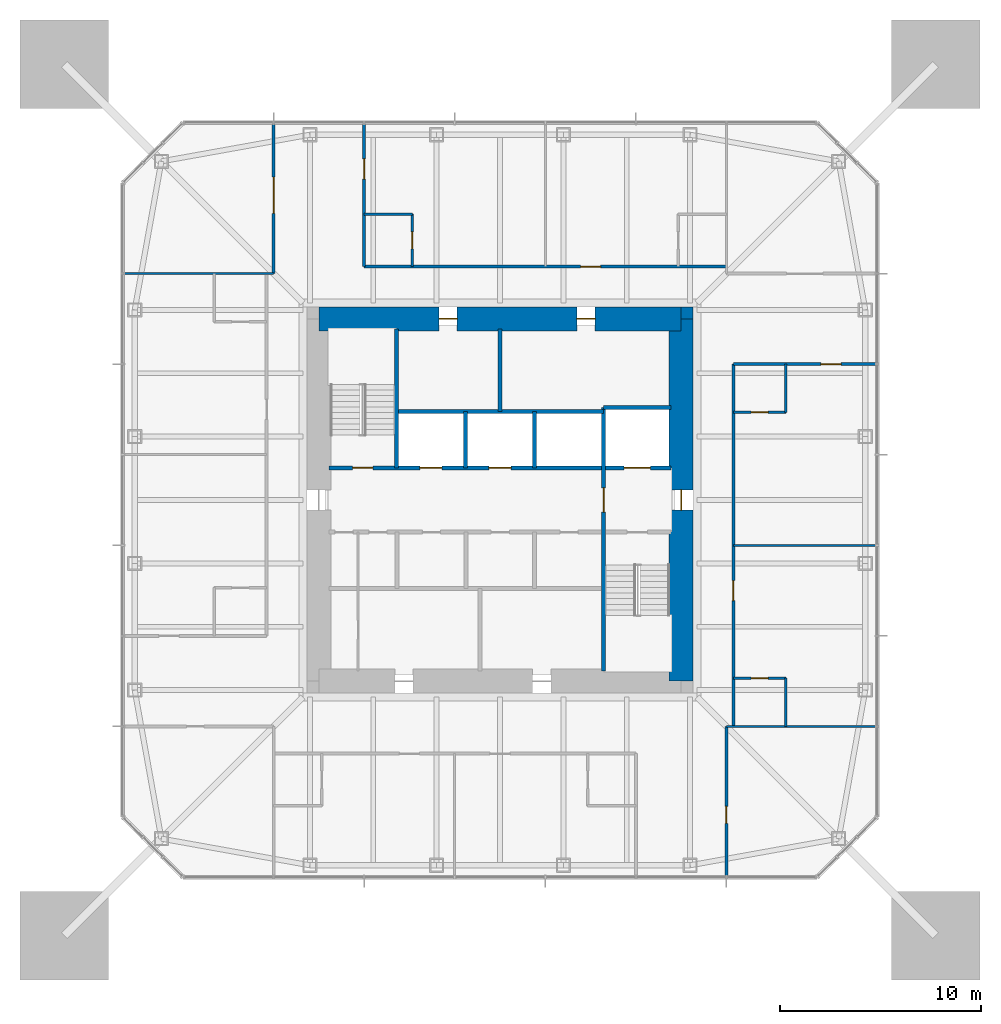
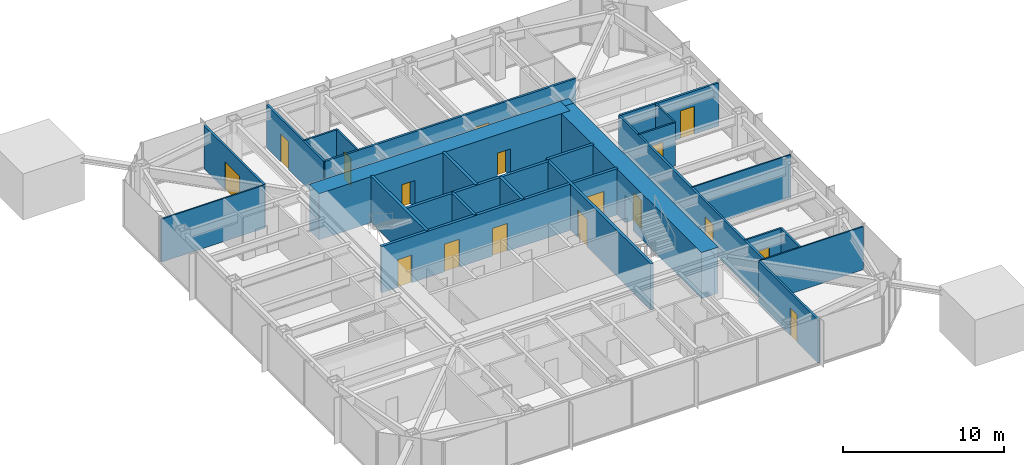
# One storey, part 7 of 11: 26 walls, 17 doors, 17 openings.
"""IFC4 building model written with IfcOpenShell, lengths in metres."""

from ifc_helpers import new_model, si_unit, direction, frame, frame_2d, origin, place, context, subcontext, project, spatial, rectangle, extrude, material, layer, layer_set, type_object, element, fill, save


model = new_model("IFC4")

# Units and contexts
model_context = context("Model", 3, precision=1e-05, world=origin(), true_north=direction((0.0, 1.0)))
body_context = subcontext(model_context, "Body", "Model", "MODEL_VIEW")
ifc_project = project(units=[si_unit("LENGTHUNIT", "METRE"), si_unit("AREAUNIT", "SQUARE_METRE"), si_unit("VOLUMEUNIT", "CUBIC_METRE"), si_unit("PLANEANGLEUNIT", "RADIAN"), si_unit("MASSUNIT", "GRAM", prefix="KILO")], contexts=[model_context])

# Site, building, storey
site_placement = place(None, origin())
site = spatial("IfcSite", under=ifc_project, at=site_placement, CompositionType="ELEMENT")
building_placement = place(site_placement, origin())
building = spatial("IfcBuilding", under=site, at=building_placement, Name="Iwan Alto Co-Living Towers", CompositionType="ELEMENT")
storey_placement = place(building_placement, frame((0.0, 0.0, 195.0)))
storey = spatial("IfcBuildingStorey", under=building, at=storey_placement, Name="L53", CompositionType="ELEMENT", Elevation=195.0)

# Wall, opening, door
ifc_material_1 = material(Name="Gypsum board")
ifc_layer_1 = layer(ifc_material_1, 0.02490234375, Name="Board", Category="Finish")
ifc_material_2 = material(Name="Steel ASTM A1003 ST33H cold-formed studs", Category="steel")
ifc_layer_2 = layer(ifc_material_2, 0.10009765625, Name="Studs", Category="Framing")
ifc_layer_3 = layer(ifc_material_1, 0.02490234375, Name="Board", Category="Finish")
ifc_layer_set_1 = layer_set([ifc_layer_1, ifc_layer_2, ifc_layer_3], Name="CORRIDOR WALL 150")
wall_type_1 = type_object("IfcWallType", Name="CORRIDOR WALL 150", PredefinedType="PARTITIONING", material=ifc_layer_set_1)
wall_1_placement = place(storey_placement, frame((11.60009765625, 6.75, 0.0), z_axis=(0.0, 0.0, 1.0), x_axis=(1.0, 0.0, 0.0)))
wall_1 = element("IfcWall", 1, at=wall_1_placement, inside=storey, type_object=wall_type_1, Name="Partition L53", PredefinedType="PARTITIONING", context=body_context, shape_type="SweptSolid", body=[
    extrude(rectangle(XDim=7.08984375, YDim=0.14990234375, at=frame_2d((3.544921875, 0.0))), origin(), (0.0, 0.0, 1.0), 3.27001953125),
])
opening_1_placement = place(wall_1_placement, frame((4.344970703125, 0.0, 0.0)))
opening_1 = element("IfcOpeningElement", 2, at=opening_1_placement, cuts=wall_1, Name="Opening D3", PredefinedType="OPENING", context=body_context, shape_type="SweptSolid", body=[
    extrude(rectangle(XDim=1.0, YDim=2.10009765625, at=frame_2d((0.5, 1.050048828125))), frame((0.0, 0.0849609375, 0.0), z_axis=(0.0, -1.0, 0.0), x_axis=(1.0, 0.0, 0.0)), (0.0, 0.0, 1.0), 0.169921875),
])
ifc_material_3 = material(Name="Steel frame with timber leaf", Category="steel")
door_type_1 = type_object("IfcDoorType", Name="FLAT ENTRANCE DOOR FD30S 1000X2100", OperationType="SINGLE_SWING_LEFT", PredefinedType="DOOR", material=ifc_material_3)
door_1_placement = place(opening_1_placement, frame((1.0, 0.0, 0.0), z_axis=(0.0, 0.0, 1.0), x_axis=(-1.0, 0.0, 0.0)))
door_1 = element("IfcDoor", 3, at=door_1_placement, inside=storey, type_object=door_type_1, Name="Studio door L53", OperationType="SINGLE_SWING_RIGHT", OverallHeight=2.10009765625, OverallWidth=1.0, PredefinedType="DOOR", context=body_context, shape_type="SweptSolid", body=[
    extrude(rectangle(XDim=1.0, YDim=2.10009765625, at=frame_2d((0.5, 1.050048828125))), frame((0.0, 0.02490234375, 0.0), z_axis=(0.0, -1.0, 0.0), x_axis=(1.0, 0.0, 0.0)), (0.0, 0.0, 1.0), 0.050048828125),
])
fill(opening_1, door_1)

wall_2_placement = place(storey_placement, frame((-6.75, 11.60009765625, 0.0), z_axis=(0.0, 0.0, 1.0), x_axis=(1.0, 0.0, 0.0)))
wall_2 = element("IfcWall", 4, at=wall_2_placement, inside=storey, type_object=wall_type_1, Name="Partition L53", PredefinedType="PARTITIONING", context=body_context, shape_type="SweptSolid", body=[
    extrude(rectangle(XDim=18.0, YDim=0.14990234375, at=frame_2d((9.0, 0.0))), origin(), (0.0, 0.0, 1.0), 3.27001953125),
])
opening_2_placement = place(wall_2_placement, frame((10.75, 0.0, 0.0)))
opening_2 = element("IfcOpeningElement", 5, at=opening_2_placement, cuts=wall_2, Name="Opening D3", PredefinedType="OPENING", context=body_context, shape_type="SweptSolid", body=[
    extrude(rectangle(XDim=1.0, YDim=2.10009765625, at=frame_2d((0.5, 1.050048828125))), frame((0.0, 0.0849609375, 0.0), z_axis=(0.0, -1.0, 0.0), x_axis=(1.0, 0.0, 0.0)), (0.0, 0.0, 1.0), 0.169921875),
])
door_2_placement = place(opening_2_placement, origin())
door_2 = element("IfcDoor", 6, at=door_2_placement, inside=storey, type_object=door_type_1, Name="Studio door L53", OperationType="SINGLE_SWING_LEFT", OverallHeight=2.10009765625, OverallWidth=1.0, PredefinedType="DOOR", context=body_context, shape_type="SweptSolid", body=[
    extrude(rectangle(XDim=1.0, YDim=2.10009765625, at=frame_2d((0.5, 1.050048828125))), frame((0.0, 0.02490234375, 0.0), z_axis=(0.0, -1.0, 0.0), x_axis=(1.0, 0.0, 0.0)), (0.0, 0.0, 1.0), 0.050048828125),
])
fill(opening_2, door_2)

wall_3_placement = place(storey_placement, frame((11.60009765625, -11.25, 0.0), z_axis=(0.0, 0.0, 1.0), x_axis=(0.0, 1.0, 0.0)))
wall_3 = element("IfcWall", 7, at=wall_3_placement, inside=storey, type_object=wall_type_1, Name="Partition L53", PredefinedType="PARTITIONING", context=body_context, shape_type="SweptSolid", body=[
    extrude(rectangle(XDim=18.0, YDim=0.14990234375, at=frame_2d((9.0, 0.0))), origin(), (0.0, 0.0, 1.0), 3.27001953125),
])
opening_3_placement = place(wall_3_placement, frame((6.25, 0.0, 0.0)))
opening_3 = element("IfcOpeningElement", 8, at=opening_3_placement, cuts=wall_3, Name="Opening D3", PredefinedType="OPENING", context=body_context, shape_type="SweptSolid", body=[
    extrude(rectangle(XDim=1.0, YDim=2.10009765625, at=frame_2d((0.5, 1.050048828125))), frame((0.0, 0.0849609375, 0.0), z_axis=(0.0, -1.0, 0.0), x_axis=(1.0, 0.0, 0.0)), (0.0, 0.0, 1.0), 0.169921875),
])
door_3_placement = place(opening_3_placement, frame((1.0, 0.0, 0.0), z_axis=(0.0, 0.0, 1.0), x_axis=(-1.0, 0.0, 0.0)))
door_3 = element("IfcDoor", 9, at=door_3_placement, inside=storey, type_object=door_type_1, Name="Studio door L53", OperationType="SINGLE_SWING_LEFT", OverallHeight=2.10009765625, OverallWidth=1.0, PredefinedType="DOOR", context=body_context, shape_type="SweptSolid", body=[
    extrude(rectangle(XDim=1.0, YDim=2.10009765625, at=frame_2d((0.5, 1.050048828125))), frame((0.0, 0.02490234375, 0.0), z_axis=(0.0, -1.0, 0.0), x_axis=(1.0, 0.0, 0.0)), (0.0, 0.0, 1.0), 0.050048828125),
])
fill(opening_3, door_3)

wall_4_placement = place(storey_placement, frame((11.25, -18.68994140625, 0.0), z_axis=(0.0, 0.0, 1.0), x_axis=(0.0, 1.0, 0.0)))
wall_4 = element("IfcWall", 10, at=wall_4_placement, inside=storey, type_object=wall_type_1, Name="Partition L53", PredefinedType="PARTITIONING", context=body_context, shape_type="SweptSolid", body=[
    extrude(rectangle(XDim=7.43994140625, YDim=0.14990234375, at=frame_2d((3.719970703125, 0.0))), origin(), (0.0, 0.0, 1.0), 3.27001953125),
])
opening_4_placement = place(wall_4_placement, frame((2.6201171875, 0.0, 0.0)))
opening_4 = element("IfcOpeningElement", 11, at=opening_4_placement, cuts=wall_4, Name="Opening D2", PredefinedType="OPENING", context=body_context, shape_type="SweptSolid", body=[
    extrude(rectangle(XDim=0.85009765625, YDim=2.10009765625, at=frame_2d((0.425048828125, 1.050048828125))), frame((0.0, 0.0849609375, 0.0), z_axis=(0.0, -1.0, 0.0), x_axis=(1.0, 0.0, 0.0)), (0.0, 0.0, 1.0), 0.169921875),
])
ifc_material_4 = material(Name="Timber leaf in steel frame", Category="steel")
door_type_2 = type_object("IfcDoorType", Name="ROOM DOOR 850X2100", OperationType="SINGLE_SWING_LEFT", PredefinedType="DOOR", material=ifc_material_4)
door_4_placement = place(opening_4_placement, frame((0.85009765625, 0.0, 0.0), z_axis=(0.0, 0.0, 1.0), x_axis=(-1.0, 0.0, 0.0)))
door_4 = element("IfcDoor", 12, at=door_4_placement, inside=storey, type_object=door_type_2, Name="Shared kitchen and lounge door L53", OperationType="SINGLE_SWING_RIGHT", OverallHeight=2.10009765625, OverallWidth=0.85009765625, PredefinedType="DOOR", context=body_context, shape_type="SweptSolid", body=[
    extrude(rectangle(XDim=0.85009765625, YDim=2.10009765625, at=frame_2d((0.425048828125, 1.050048828125))), frame((0.0, 0.02490234375, 0.0), z_axis=(0.0, -1.0, 0.0), x_axis=(1.0, 0.0, 0.0)), (0.0, 0.0, 1.0), 0.050048828125),
])
fill(opening_4, door_4)

wall_5_placement = place(storey_placement, frame((-6.75, 11.60009765625, 0.0), z_axis=(0.0, 0.0, 1.0), x_axis=(0.0, 1.0, 0.0)))
wall_5 = element("IfcWall", 13, at=wall_5_placement, inside=storey, type_object=wall_type_1, Name="Partition L53", PredefinedType="PARTITIONING", context=body_context, shape_type="SweptSolid", body=[
    extrude(rectangle(XDim=7.08984375, YDim=0.14990234375, at=frame_2d((3.544921875, 0.0))), origin(), (0.0, 0.0, 1.0), 3.27001953125),
])
opening_5_placement = place(wall_5_placement, frame((4.344970703125, 0.0, 0.0)))
opening_5 = element("IfcOpeningElement", 14, at=opening_5_placement, cuts=wall_5, Name="Opening D3", PredefinedType="OPENING", context=body_context, shape_type="SweptSolid", body=[
    extrude(rectangle(XDim=1.0, YDim=2.10009765625, at=frame_2d((0.5, 1.050048828125))), frame((0.0, 0.0849609375, 0.0), z_axis=(0.0, -1.0, 0.0), x_axis=(1.0, 0.0, 0.0)), (0.0, 0.0, 1.0), 0.169921875),
])
door_5_placement = place(opening_5_placement, frame((1.0, 0.0, 0.0), z_axis=(0.0, 0.0, 1.0), x_axis=(-1.0, 0.0, 0.0)))
door_5 = element("IfcDoor", 15, at=door_5_placement, inside=storey, type_object=door_type_1, Name="Studio door L53", OperationType="SINGLE_SWING_RIGHT", OverallHeight=2.10009765625, OverallWidth=1.0, PredefinedType="DOOR", context=body_context, shape_type="SweptSolid", body=[
    extrude(rectangle(XDim=1.0, YDim=2.10009765625, at=frame_2d((0.5, 1.050048828125))), frame((0.0, 0.02490234375, 0.0), z_axis=(0.0, -1.0, 0.0), x_axis=(1.0, 0.0, 0.0)), (0.0, 0.0, 1.0), 0.050048828125),
])
fill(opening_5, door_5)

wall_6_placement = place(storey_placement, frame((-11.25, 11.25, 0.0), z_axis=(0.0, 0.0, 1.0), x_axis=(0.0, 1.0, 0.0)))
wall_6 = element("IfcWall", 16, at=wall_6_placement, inside=storey, type_object=wall_type_1, Name="Partition L53", PredefinedType="PARTITIONING", context=body_context, shape_type="SweptSolid", body=[
    extrude(rectangle(XDim=7.43994140625, YDim=0.14990234375, at=frame_2d((3.719970703125, 0.0))), origin(), (0.0, 0.0, 1.0), 3.27001953125),
])
opening_6_placement = place(wall_6_placement, frame((2.9951171875, 0.0, 0.0)))
opening_6 = element("IfcOpeningElement", 17, at=opening_6_placement, cuts=wall_6, Name="Opening D9", PredefinedType="OPENING", context=body_context, shape_type="SweptSolid", body=[
    extrude(rectangle(XDim=1.800048828125, YDim=2.10009765625, at=frame_2d((0.89990234375, 1.050048828125))), frame((0.0, 0.0849609375, 0.0), z_axis=(0.0, -1.0, 0.0), x_axis=(1.0, 0.0, 0.0)), (0.0, 0.0, 1.0), 0.169921875),
])
ifc_material_5 = material(Name="Steel frame with timber leaf", Category="steel")
door_type_3 = type_object("IfcDoorType", Name="LOUNGE DOOR FD30S 1800X2100", OperationType="DOUBLE_DOOR_SINGLE_SWING", PredefinedType="DOOR", material=ifc_material_5)
door_6_placement = place(opening_6_placement, origin())
door_6 = element("IfcDoor", 18, at=door_6_placement, inside=storey, type_object=door_type_3, Name="Courtyard lounge door L53", OperationType="DOUBLE_DOOR_SINGLE_SWING", OverallHeight=2.10009765625, OverallWidth=1.800048828125, PredefinedType="DOOR", context=body_context, shape_type="SweptSolid", body=[
    extrude(rectangle(XDim=1.800048828125, YDim=2.10009765625, at=frame_2d((0.89990234375, 1.050048828125))), frame((0.0, 0.02490234375, 0.0), z_axis=(0.0, -1.0, 0.0), x_axis=(1.0, 0.0, 0.0)), (0.0, 0.0, 1.0), 0.050048828125),
])
fill(opening_6, door_6)

# Walls
ifc_layer_4 = layer(ifc_material_1, 0.012451171875, Name="Board", Category="Finish")
ifc_layer_5 = layer(ifc_material_2, 0.074951171875, Name="Studs", Category="Framing")
ifc_layer_6 = layer(ifc_material_1, 0.012451171875, Name="Board", Category="Finish")
ifc_layer_set_2 = layer_set([ifc_layer_4, ifc_layer_5, ifc_layer_6], Name="PARTITION 100")
wall_type_2 = type_object("IfcWallType", Name="PARTITION 100", PredefinedType="PARTITIONING", material=ifc_layer_set_2)
wall_7_placement = place(storey_placement, frame((11.25, -11.25, 0.0), z_axis=(0.0, 0.0, 1.0), x_axis=(1.0, 0.0, 0.0)))
element("IfcWall", 19, at=wall_7_placement, inside=storey, type_object=wall_type_2, Name="Partition L53", PredefinedType="PARTITIONING", context=body_context, shape_type="SweptSolid", body=[
    extrude(rectangle(XDim=7.43994140625, YDim=0.10009765625, at=frame_2d((3.719970703125, 0.0))), origin(), (0.0, 0.0, 1.0), 3.27001953125),
])
wall_8_placement = place(storey_placement, frame((11.60009765625, -2.25, 0.0), z_axis=(0.0, 0.0, 1.0), x_axis=(1.0, 0.0, 0.0)))
element("IfcWall", 20, at=wall_8_placement, inside=storey, type_object=wall_type_2, Name="Partition L53", PredefinedType="PARTITIONING", context=body_context, shape_type="SweptSolid", body=[
    extrude(rectangle(XDim=7.08984375, YDim=0.10009765625, at=frame_2d((3.544921875, 0.0))), origin(), (0.0, 0.0, 1.0), 3.27001953125),
])
wall_9_placement = place(storey_placement, frame((-18.68994140625, 11.25, 0.0), z_axis=(0.0, 0.0, 1.0), x_axis=(1.0, 0.0, 0.0)))
element("IfcWall", 21, at=wall_9_placement, inside=storey, type_object=wall_type_2, Name="Partition L53", PredefinedType="PARTITIONING", context=body_context, shape_type="SweptSolid", body=[
    extrude(rectangle(XDim=7.43994140625, YDim=0.10009765625, at=frame_2d((3.719970703125, 0.0))), origin(), (0.0, 0.0, 1.0), 3.27001953125),
])

# Wall, openings, doors
ifc_material_6 = material(Name="Concrete f'c 70 MPa", Category="concrete")
ifc_layer_7 = layer(ifc_material_6, 0.199951171875)
ifc_layer_set_3 = layer_set([ifc_layer_7], Name="SHAFT WALL 200")
wall_type_3 = type_object("IfcWallType", Name="SHAFT WALL 200", PredefinedType="SOLIDWALL", material=ifc_layer_set_3)
wall_10_placement = place(storey_placement, frame((-8.489990234375, 1.60009765625, 0.0), z_axis=(0.0, 0.0, 1.0), x_axis=(1.0, 0.0, 0.0)))
wall_10 = element("IfcWall", 22, at=wall_10_placement, inside=storey, type_object=wall_type_3, Name="Shaft wall L53", PredefinedType="SOLIDWALL", context=body_context, shape_type="SweptSolid", body=[
    extrude(rectangle(XDim=16.97998046875, YDim=0.199951171875, at=frame_2d((8.489990234375, 0.0))), origin(), (0.0, 0.0, 1.0), 3.5),
])
opening_7_placement = place(wall_10_placement, frame((1.169921875, 0.0, 0.0)))
opening_7 = element("IfcOpeningElement", 23, at=opening_7_placement, cuts=wall_10, Name="Opening D5", PredefinedType="OPENING", context=body_context, shape_type="SweptSolid", body=[
    extrude(rectangle(XDim=1.0, YDim=2.10009765625, at=frame_2d((0.5, 1.050048828125))), frame((0.0, 0.10986328125, 0.0), z_axis=(0.0, -1.0, 0.0), x_axis=(1.0, 0.0, 0.0)), (0.0, 0.0, 1.0), 0.219970703125),
])
opening_8_placement = place(wall_10_placement, frame((4.506103515625, 0.0, 0.0)))
opening_8 = element("IfcOpeningElement", 24, at=opening_8_placement, cuts=wall_10, Name="Opening LD", PredefinedType="OPENING", context=body_context, shape_type="SweptSolid", body=[
    extrude(rectangle(XDim=1.10009765625, YDim=2.10009765625, at=frame_2d((0.550048828125, 1.050048828125))), frame((0.0, 0.10986328125, 0.0), z_axis=(0.0, -1.0, 0.0), x_axis=(1.0, 0.0, 0.0)), (0.0, 0.0, 1.0), 0.219970703125),
])
opening_9_placement = place(wall_10_placement, frame((7.93994140625, 0.0, 0.0)))
opening_9 = element("IfcOpeningElement", 25, at=opening_9_placement, cuts=wall_10, Name="Opening LD", PredefinedType="OPENING", context=body_context, shape_type="SweptSolid", body=[
    extrude(rectangle(XDim=1.10009765625, YDim=2.10009765625, at=frame_2d((0.550048828125, 1.050048828125))), frame((0.0, 0.10986328125, 0.0), z_axis=(0.0, -1.0, 0.0), x_axis=(1.0, 0.0, 0.0)), (0.0, 0.0, 1.0), 0.219970703125),
])
opening_10_placement = place(wall_10_placement, frame((14.659912109375, 0.0, 0.0)))
opening_10 = element("IfcOpeningElement", 26, at=opening_10_placement, cuts=wall_10, Name="Opening LD2", PredefinedType="OPENING", context=body_context, shape_type="SweptSolid", body=[
    extrude(rectangle(XDim=1.300048828125, YDim=2.10009765625, at=frame_2d((0.64990234375, 1.050048828125))), frame((0.0, 0.10986328125, 0.0), z_axis=(0.0, -1.0, 0.0), x_axis=(1.0, 0.0, 0.0)), (0.0, 0.0, 1.0), 0.219970703125),
])
ifc_material_7 = material(Name="Steel frame with timber leaf", Category="steel")
door_type_4 = type_object("IfcDoorType", Name="LIFT LANDING DOOR 1100X2100", OperationType="DOUBLE_DOOR_SLIDING", PredefinedType="DOOR", material=ifc_material_7)
door_7_placement = place(opening_8_placement, origin())
door_7 = element("IfcDoor", 27, at=door_7_placement, inside=storey, type_object=door_type_4, Name="Lift P3-1 landing door L53", OperationType="DOUBLE_DOOR_SLIDING", OverallHeight=2.10009765625, OverallWidth=1.10009765625, PredefinedType="DOOR", context=body_context, shape_type="SweptSolid", body=[
    extrude(rectangle(XDim=1.10009765625, YDim=2.10009765625, at=frame_2d((0.550048828125, 1.050048828125))), frame((0.0, 0.02490234375, 0.0), z_axis=(0.0, -1.0, 0.0), x_axis=(1.0, 0.0, 0.0)), (0.0, 0.0, 1.0), 0.050048828125),
])
fill(opening_8, door_7)
door_8_placement = place(opening_9_placement, origin())
door_8 = element("IfcDoor", 28, at=door_8_placement, inside=storey, type_object=door_type_4, Name="Lift P3-2 landing door L53", OperationType="DOUBLE_DOOR_SLIDING", OverallHeight=2.10009765625, OverallWidth=1.10009765625, PredefinedType="DOOR", context=body_context, shape_type="SweptSolid", body=[
    extrude(rectangle(XDim=1.10009765625, YDim=2.10009765625, at=frame_2d((0.550048828125, 1.050048828125))), frame((0.0, 0.02490234375, 0.0), z_axis=(0.0, -1.0, 0.0), x_axis=(1.0, 0.0, 0.0)), (0.0, 0.0, 1.0), 0.050048828125),
])
fill(opening_9, door_8)
ifc_material_8 = material(Name="Steel frame with timber leaf", Category="steel")
door_type_5 = type_object("IfcDoorType", Name="LIFT LANDING DOOR 1300X2100", OperationType="SLIDING_TO_LEFT", PredefinedType="DOOR", material=ifc_material_8)
door_9_placement = place(opening_10_placement, origin())
door_9 = element("IfcDoor", 29, at=door_9_placement, inside=storey, type_object=door_type_5, Name="Lift FL1 landing door L53", OperationType="SLIDING_TO_LEFT", OverallHeight=2.10009765625, OverallWidth=1.300048828125, PredefinedType="DOOR", context=body_context, shape_type="SweptSolid", body=[
    extrude(rectangle(XDim=1.300048828125, YDim=2.10009765625, at=frame_2d((0.64990234375, 1.050048828125))), frame((0.0, 0.02490234375, 0.0), z_axis=(0.0, -1.0, 0.0), x_axis=(1.0, 0.0, 0.0)), (0.0, 0.0, 1.0), 0.050048828125),
])
fill(opening_10, door_9)
ifc_material_9 = material(Name="Steel frame with timber leaf", Category="steel")
door_type_6 = type_object("IfcDoorType", Name="STAIR DOOR FD120S 1000X2100", OperationType="SINGLE_SWING_LEFT", PredefinedType="DOOR", material=ifc_material_9)
door_10_placement = place(opening_7_placement, origin())
door_10 = element("IfcDoor", 30, at=door_10_placement, inside=storey, type_object=door_type_6, Name="Stair S1 door L53", OperationType="SINGLE_SWING_RIGHT", OverallHeight=2.10009765625, OverallWidth=1.0, PredefinedType="DOOR", context=body_context, shape_type="SweptSolid", body=[
    extrude(rectangle(XDim=1.0, YDim=2.10009765625, at=frame_2d((0.5, 1.050048828125))), frame((0.0, 0.02490234375, 0.0), z_axis=(0.0, -1.0, 0.0), x_axis=(1.0, 0.0, 0.0)), (0.0, 0.0, 1.0), 0.050048828125),
])
fill(opening_7, door_10)

# Walls
wall_11_placement = place(storey_placement, frame((-5.14990234375, 4.39990234375, 0.0), z_axis=(0.0, 0.0, 1.0), x_axis=(1.0, 0.0, 0.0)))
element("IfcWall", 31, at=wall_11_placement, inside=storey, type_object=wall_type_3, Name="Shaft wall L53", PredefinedType="SOLIDWALL", context=body_context, shape_type="SweptSolid", body=[
    extrude(rectangle(XDim=10.2998046875, YDim=0.199951171875, at=frame_2d((5.14990234375, 0.0))), origin(), (0.0, 0.0, 1.0), 3.5),
])
wall_12_placement = place(storey_placement, frame((5.14990234375, 4.60009765625, 0.0), z_axis=(0.0, 0.0, 1.0), x_axis=(1.0, 0.0, 0.0)))
element("IfcWall", 32, at=wall_12_placement, inside=storey, type_object=wall_type_3, Name="Shaft wall L53", PredefinedType="SOLIDWALL", context=body_context, shape_type="SweptSolid", body=[
    extrude(rectangle(XDim=3.340087890625, YDim=0.199951171875, at=frame_2d((1.669921875, 0.0))), origin(), (0.0, 0.0, 1.0), 3.5),
])

# Wall, opening, door
wall_13_placement = place(storey_placement, frame((5.14990234375, -8.489990234375, 0.0), z_axis=(0.0, 0.0, 1.0), x_axis=(0.0, 1.0, 0.0)))
wall_13 = element("IfcWall", 33, at=wall_13_placement, inside=storey, type_object=wall_type_3, Name="Shaft wall L53", PredefinedType="SOLIDWALL", context=body_context, shape_type="SweptSolid", body=[
    extrude(rectangle(XDim=13.090087890625, YDim=0.199951171875, at=frame_2d((6.544921875, 0.0))), origin(), (0.0, 0.0, 1.0), 3.5),
])
opening_11_placement = place(wall_13_placement, frame((7.889892578125, 0.0, 0.0)))
opening_11 = element("IfcOpeningElement", 34, at=opening_11_placement, cuts=wall_13, Name="Opening D6", PredefinedType="OPENING", context=body_context, shape_type="SweptSolid", body=[
    extrude(rectangle(XDim=1.199951171875, YDim=2.10009765625, at=frame_2d((0.60009765625, 1.050048828125))), frame((0.0, 0.10986328125, 0.0), z_axis=(0.0, -1.0, 0.0), x_axis=(1.0, 0.0, 0.0)), (0.0, 0.0, 1.0), 0.219970703125),
])
ifc_material_10 = material(Name="Steel frame with timber leaf", Category="steel")
door_type_7 = type_object("IfcDoorType", Name="LOBBY DOOR FD120S 1200X2100", OperationType="SINGLE_SWING_LEFT", PredefinedType="DOOR", material=ifc_material_10)
door_11_placement = place(opening_11_placement, frame((1.199951171875, 0.0, 0.0), z_axis=(0.0, 0.0, 1.0), x_axis=(-1.0, 0.0, 0.0)))
door_11 = element("IfcDoor", 35, at=door_11_placement, inside=storey, type_object=door_type_7, Name="Firefighting lobby door L53", OperationType="SINGLE_SWING_RIGHT", OverallHeight=2.10009765625, OverallWidth=1.199951171875, PredefinedType="DOOR", context=body_context, shape_type="SweptSolid", body=[
    extrude(rectangle(XDim=1.199951171875, YDim=2.10009765625, at=frame_2d((0.60009765625, 1.050048828125))), frame((0.0, 0.02490234375, 0.0), z_axis=(0.0, -1.0, 0.0), x_axis=(1.0, 0.0, 0.0)), (0.0, 0.0, 1.0), 0.050048828125),
])
fill(opening_11, door_11)

# Walls
wall_14_placement = place(storey_placement, frame((1.717041015625, 1.60009765625, 0.0), z_axis=(0.0, 0.0, 1.0), x_axis=(0.0, 1.0, 0.0)))
element("IfcWall", 36, at=wall_14_placement, inside=storey, type_object=wall_type_3, Name="Shaft wall L53", PredefinedType="SOLIDWALL", context=body_context, shape_type="SweptSolid", body=[
    extrude(rectangle(XDim=2.7998046875, YDim=0.199951171875, at=frame_2d((1.39990234375, 0.0))), origin(), (0.0, 0.0, 1.0), 3.5),
])
wall_15_placement = place(storey_placement, frame((0.0, 4.39990234375, 0.0), z_axis=(0.0, 0.0, 1.0), x_axis=(0.0, 1.0, 0.0)))
element("IfcWall", 37, at=wall_15_placement, inside=storey, type_object=wall_type_3, Name="Shaft wall L53", PredefinedType="SOLIDWALL", context=body_context, shape_type="SweptSolid", body=[
    extrude(rectangle(XDim=4.090087890625, YDim=0.199951171875, at=frame_2d((2.044921875, 0.0))), origin(), (0.0, 0.0, 1.0), 3.5),
])
wall_16_placement = place(storey_placement, frame((-1.717041015625, 1.60009765625, 0.0), z_axis=(0.0, 0.0, 1.0), x_axis=(0.0, 1.0, 0.0)))
element("IfcWall", 38, at=wall_16_placement, inside=storey, type_object=wall_type_3, Name="Shaft wall L53", PredefinedType="SOLIDWALL", context=body_context, shape_type="SweptSolid", body=[
    extrude(rectangle(XDim=2.7998046875, YDim=0.199951171875, at=frame_2d((1.39990234375, 0.0))), origin(), (0.0, 0.0, 1.0), 3.5),
])
wall_17_placement = place(storey_placement, frame((-5.14990234375, 1.60009765625, 0.0), z_axis=(0.0, 0.0, 1.0), x_axis=(0.0, 1.0, 0.0)))
element("IfcWall", 39, at=wall_17_placement, inside=storey, type_object=wall_type_3, Name="Shaft wall L53", PredefinedType="SOLIDWALL", context=body_context, shape_type="SweptSolid", body=[
    extrude(rectangle(XDim=6.889892578125, YDim=0.199951171875, at=frame_2d((3.44482421875, 0.0))), origin(), (0.0, 0.0, 1.0), 3.5),
])
ifc_material_11 = material(Name="Concrete f'c 70 MPa", Category="concrete")
ifc_layer_8 = layer(ifc_material_11, 0.60009765625)
ifc_layer_set_4 = layer_set([ifc_layer_8], Name="T1 CORE CORNER FILL 600")
wall_type_4 = type_object("IfcWallType", Name="T1 CORE CORNER FILL 600", PredefinedType="SOLIDWALL", material=ifc_layer_set_4)
wall_18_placement = place(storey_placement, frame((9.0, 9.300048828125, 0.0), z_axis=(0.0, 0.0, 1.0), x_axis=(1.0, 0.0, 0.0)))
element("IfcWall", 40, at=wall_18_placement, inside=storey, type_object=wall_type_4, Name="T1 core corner NE L53", PredefinedType="SOLIDWALL", context=body_context, shape_type="SweptSolid", body=[
    extrude(rectangle(XDim=0.60009765625, YDim=0.60009765625, at=frame_2d((0.300048828125, 0.0))), origin(), (0.0, 0.0, 1.0), 3.5),
])

# Wall, openings, doors
ifc_material_12 = material(Name="Concrete f'c 70 MPa", Category="concrete")
ifc_layer_9 = layer(ifc_material_12, 1.199951171875)
ifc_layer_set_5 = layer_set([ifc_layer_9], Name="T1 CORE WALL 1200")
wall_type_5 = type_object("IfcWallType", Name="T1 CORE WALL 1200", PredefinedType="SHEAR", material=ifc_layer_set_5)
wall_19_placement = place(storey_placement, frame((9.0, 9.0, 0.0), z_axis=(0.0, 0.0, 1.0), x_axis=(-1.0, 0.0, 0.0)))
wall_19 = element("IfcWall", 41, at=wall_19_placement, inside=storey, type_object=wall_type_5, Name="T1 core wall N L53", PredefinedType="SHEAR", context=body_context, shape_type="SweptSolid", body=[
    extrude(rectangle(XDim=18.0, YDim=1.199951171875, at=frame_2d((9.0, 0.0))), origin(), (0.0, 0.0, 1.0), 3.5),
])
opening_12_placement = place(wall_19_placement, frame((11.125, 0.0, 0.0)))
opening_12 = element("IfcOpeningElement", 42, at=opening_12_placement, cuts=wall_19, Name="Opening D8", PredefinedType="OPENING", context=body_context, shape_type="SweptSolid", body=[
    extrude(rectangle(XDim=0.89990234375, YDim=2.10009765625, at=frame_2d((0.449951171875, 1.050048828125))), frame((0.0, 0.60986328125, 0.0), z_axis=(0.0, -1.0, 0.0), x_axis=(1.0, 0.0, 0.0)), (0.0, 0.0, 1.0), 1.219970703125),
])
opening_13_placement = place(wall_19_placement, frame((4.27490234375, 0.0, 0.0)))
opening_13 = element("IfcOpeningElement", 43, at=opening_13_placement, cuts=wall_19, Name="Opening D8", PredefinedType="OPENING", context=body_context, shape_type="SweptSolid", body=[
    extrude(rectangle(XDim=0.89990234375, YDim=2.10009765625, at=frame_2d((0.449951171875, 1.050048828125))), frame((0.0, 0.60986328125, 0.0), z_axis=(0.0, -1.0, 0.0), x_axis=(1.0, 0.0, 0.0)), (0.0, 0.0, 1.0), 1.219970703125),
])
ifc_material_13 = material(Name="Steel frame with timber leaf", Category="steel")
door_type_8 = type_object("IfcDoorType", Name="RISER DOOR FD120 900X2100", OperationType="SINGLE_SWING_LEFT", PredefinedType="DOOR", material=ifc_material_13)
door_12_placement = place(opening_12_placement, origin())
door_12 = element("IfcDoor", 44, at=door_12_placement, inside=storey, type_object=door_type_8, Name="Electrical riser core door L53", OperationType="SINGLE_SWING_RIGHT", OverallHeight=2.10009765625, OverallWidth=0.89990234375, PredefinedType="DOOR", context=body_context, shape_type="SweptSolid", body=[
    extrude(rectangle(XDim=0.89990234375, YDim=2.10009765625, at=frame_2d((0.449951171875, 1.050048828125))), frame((0.0, 0.02490234375, 0.0), z_axis=(0.0, -1.0, 0.0), x_axis=(1.0, 0.0, 0.0)), (0.0, 0.0, 1.0), 0.050048828125),
])
fill(opening_12, door_12)
door_13_placement = place(opening_13_placement, origin())
door_13 = element("IfcDoor", 45, at=door_13_placement, inside=storey, type_object=door_type_8, Name="Water and drainage riser core door L53", OperationType="SINGLE_SWING_RIGHT", OverallHeight=2.10009765625, OverallWidth=0.89990234375, PredefinedType="DOOR", context=body_context, shape_type="SweptSolid", body=[
    extrude(rectangle(XDim=0.89990234375, YDim=2.10009765625, at=frame_2d((0.449951171875, 1.050048828125))), frame((0.0, 0.02490234375, 0.0), z_axis=(0.0, -1.0, 0.0), x_axis=(1.0, 0.0, 0.0)), (0.0, 0.0, 1.0), 0.050048828125),
])
fill(opening_13, door_13)

# Wall, opening, door
wall_20_placement = place(storey_placement, frame((9.0, -9.0, 0.0), z_axis=(0.0, 0.0, 1.0), x_axis=(0.0, 1.0, 0.0)))
wall_20 = element("IfcWall", 46, at=wall_20_placement, inside=storey, type_object=wall_type_5, Name="T1 core wall E L53", PredefinedType="SHEAR", context=body_context, shape_type="SweptSolid", body=[
    extrude(rectangle(XDim=18.0, YDim=1.199951171875, at=frame_2d((9.0, 0.0))), origin(), (0.0, 0.0, 1.0), 3.5),
])
opening_14_placement = place(wall_20_placement, frame((8.5, 0.0, 0.0)))
opening_14 = element("IfcOpeningElement", 47, at=opening_14_placement, cuts=wall_20, Name="Opening D7", PredefinedType="OPENING", context=body_context, shape_type="SweptSolid", body=[
    extrude(rectangle(XDim=1.0, YDim=2.10009765625, at=frame_2d((0.5, 1.050048828125))), frame((0.0, 0.60986328125, 0.0), z_axis=(0.0, -1.0, 0.0), x_axis=(1.0, 0.0, 0.0)), (0.0, 0.0, 1.0), 1.219970703125),
])
ifc_material_14 = material(Name="Steel frame with timber leaf", Category="steel")
door_type_9 = type_object("IfcDoorType", Name="CORE DOOR FD120S 1000X2100", OperationType="SINGLE_SWING_LEFT", PredefinedType="DOOR", material=ifc_material_14)
door_14_placement = place(opening_14_placement, origin())
door_14 = element("IfcDoor", 48, at=door_14_placement, inside=storey, type_object=door_type_9, Name="Firefighting lobby core door L53", OperationType="SINGLE_SWING_LEFT", OverallHeight=2.10009765625, OverallWidth=1.0, PredefinedType="DOOR", context=body_context, shape_type="SweptSolid", body=[
    extrude(rectangle(XDim=1.0, YDim=2.10009765625, at=frame_2d((0.5, 1.050048828125))), frame((0.0, 0.02490234375, 0.0), z_axis=(0.0, -1.0, 0.0), x_axis=(1.0, 0.0, 0.0)), (0.0, 0.0, 1.0), 0.050048828125),
])
fill(opening_14, door_14)

ifc_material_15 = material(Name="Cement board")
ifc_layer_10 = layer(ifc_material_15, 0.012451171875, Name="Board", Category="Finish")
ifc_layer_11 = layer(ifc_material_2, 0.094970703125, Name="Studs", Category="Framing")
ifc_layer_12 = layer(ifc_material_15, 0.012451171875, Name="Board", Category="Finish")
ifc_layer_set_6 = layer_set([ifc_layer_10, ifc_layer_11, ifc_layer_12], Name="WET AREA PARTITION 120")
wall_type_6 = type_object("IfcWallType", Name="WET AREA PARTITION 120", PredefinedType="PARTITIONING", material=ifc_layer_set_6)
wall_21_placement = place(storey_placement, frame((11.60009765625, -8.85009765625, 0.0), z_axis=(0.0, 0.0, 1.0), x_axis=(1.0, 0.0, 0.0)))
wall_21 = element("IfcWall", 49, at=wall_21_placement, inside=storey, type_object=wall_type_6, Name="Partition L53", PredefinedType="PARTITIONING", context=body_context, shape_type="SweptSolid", body=[
    extrude(rectangle(XDim=2.599853515625, YDim=0.1201171875, at=frame_2d((1.2998046875, 0.0))), origin(), (0.0, 0.0, 1.0), 3.27001953125),
])
opening_15_placement = place(wall_21_placement, frame((0.875, 0.0, 0.0)))
opening_15 = element("IfcOpeningElement", 50, at=opening_15_placement, cuts=wall_21, Name="Opening D2", PredefinedType="OPENING", context=body_context, shape_type="SweptSolid", body=[
    extrude(rectangle(XDim=0.85009765625, YDim=2.10009765625, at=frame_2d((0.425048828125, 1.050048828125))), frame((0.0, 0.070068359375, 0.0), z_axis=(0.0, -1.0, 0.0), x_axis=(1.0, 0.0, 0.0)), (0.0, 0.0, 1.0), 0.14013671875),
])
door_15_placement = place(opening_15_placement, origin())
door_15 = element("IfcDoor", 51, at=door_15_placement, inside=storey, type_object=door_type_2, Name="En-suite shower room door L53", OperationType="SINGLE_SWING_LEFT", OverallHeight=2.10009765625, OverallWidth=0.85009765625, PredefinedType="DOOR", context=body_context, shape_type="SweptSolid", body=[
    extrude(rectangle(XDim=0.85009765625, YDim=2.10009765625, at=frame_2d((0.425048828125, 1.050048828125))), frame((0.0, 0.02490234375, 0.0), z_axis=(0.0, -1.0, 0.0), x_axis=(1.0, 0.0, 0.0)), (0.0, 0.0, 1.0), 0.050048828125),
])
fill(opening_15, door_15)

wall_22_placement = place(storey_placement, frame((11.60009765625, 4.35009765625, 0.0), z_axis=(0.0, 0.0, 1.0), x_axis=(1.0, 0.0, 0.0)))
wall_22 = element("IfcWall", 52, at=wall_22_placement, inside=storey, type_object=wall_type_6, Name="Partition L53", PredefinedType="PARTITIONING", context=body_context, shape_type="SweptSolid", body=[
    extrude(rectangle(XDim=2.599853515625, YDim=0.1201171875, at=frame_2d((1.2998046875, 0.0))), origin(), (0.0, 0.0, 1.0), 3.27001953125),
])
opening_16_placement = place(wall_22_placement, frame((0.875, 0.0, 0.0)))
opening_16 = element("IfcOpeningElement", 53, at=opening_16_placement, cuts=wall_22, Name="Opening D2", PredefinedType="OPENING", context=body_context, shape_type="SweptSolid", body=[
    extrude(rectangle(XDim=0.85009765625, YDim=2.10009765625, at=frame_2d((0.425048828125, 1.050048828125))), frame((0.0, 0.070068359375, 0.0), z_axis=(0.0, -1.0, 0.0), x_axis=(1.0, 0.0, 0.0)), (0.0, 0.0, 1.0), 0.14013671875),
])
door_16_placement = place(opening_16_placement, frame((0.85009765625, 0.0, 0.0), z_axis=(0.0, 0.0, 1.0), x_axis=(-1.0, 0.0, 0.0)))
door_16 = element("IfcDoor", 54, at=door_16_placement, inside=storey, type_object=door_type_2, Name="En-suite shower room door L53", OperationType="SINGLE_SWING_RIGHT", OverallHeight=2.10009765625, OverallWidth=0.85009765625, PredefinedType="DOOR", context=body_context, shape_type="SweptSolid", body=[
    extrude(rectangle(XDim=0.85009765625, YDim=2.10009765625, at=frame_2d((0.425048828125, 1.050048828125))), frame((0.0, 0.02490234375, 0.0), z_axis=(0.0, -1.0, 0.0), x_axis=(1.0, 0.0, 0.0)), (0.0, 0.0, 1.0), 0.050048828125),
])
fill(opening_16, door_16)

# Walls
for number, where, z_axis, x_axis, name in (
    (55, (-6.75, 14.199951171875, 0.0), (0.0, 0.0, 1.0), (1.0, 0.0, 0.0), "Partition L53"),
    (56, (14.199951171875, -11.25, 0.0), (0.0, 0.0, 1.0), (0.0, 1.0, 0.0), "Partition L53"),
    (57, (14.199951171875, 4.35009765625, 0.0), (0.0, 0.0, 1.0), (0.0, 1.0, 0.0), "Partition L53"),
):
    element("IfcWall", number, at=place(storey_placement, frame(where, z_axis=z_axis, x_axis=x_axis)), inside=storey, type_object=wall_type_6, Name=name, PredefinedType="PARTITIONING", context=body_context, shape_type="SweptSolid", body=[
        extrude(rectangle(XDim=2.39990234375, YDim=0.1201171875, at=frame_2d((1.199951171875, 0.0))), origin(), (0.0, 0.0, 1.0), 3.27001953125),
    ])

# Wall, opening, door
wall_23_placement = place(storey_placement, frame((-4.35009765625, 11.60009765625, 0.0), z_axis=(0.0, 0.0, 1.0), x_axis=(0.0, 1.0, 0.0)))
wall_23 = element("IfcWall", 58, at=wall_23_placement, inside=storey, type_object=wall_type_6, Name="Partition L53", PredefinedType="PARTITIONING", context=body_context, shape_type="SweptSolid", body=[
    extrude(rectangle(XDim=2.599853515625, YDim=0.1201171875, at=frame_2d((1.2998046875, 0.0))), origin(), (0.0, 0.0, 1.0), 3.27001953125),
])
opening_17_placement = place(wall_23_placement, frame((0.875, 0.0, 0.0)))
opening_17 = element("IfcOpeningElement", 59, at=opening_17_placement, cuts=wall_23, Name="Opening D2", PredefinedType="OPENING", context=body_context, shape_type="SweptSolid", body=[
    extrude(rectangle(XDim=0.85009765625, YDim=2.10009765625, at=frame_2d((0.425048828125, 1.050048828125))), frame((0.0, 0.070068359375, 0.0), z_axis=(0.0, -1.0, 0.0), x_axis=(1.0, 0.0, 0.0)), (0.0, 0.0, 1.0), 0.14013671875),
])
door_17_placement = place(opening_17_placement, frame((0.85009765625, 0.0, 0.0), z_axis=(0.0, 0.0, 1.0), x_axis=(-1.0, 0.0, 0.0)))
door_17 = element("IfcDoor", 60, at=door_17_placement, inside=storey, type_object=door_type_2, Name="En-suite shower room door L53", OperationType="SINGLE_SWING_RIGHT", OverallHeight=2.10009765625, OverallWidth=0.85009765625, PredefinedType="DOOR", context=body_context, shape_type="SweptSolid", body=[
    extrude(rectangle(XDim=0.85009765625, YDim=2.10009765625, at=frame_2d((0.425048828125, 1.050048828125))), frame((0.0, 0.02490234375, 0.0), z_axis=(0.0, -1.0, 0.0), x_axis=(1.0, 0.0, 0.0)), (0.0, 0.0, 1.0), 0.050048828125),
])
fill(opening_17, door_17)

save(model, "model.ifc")
